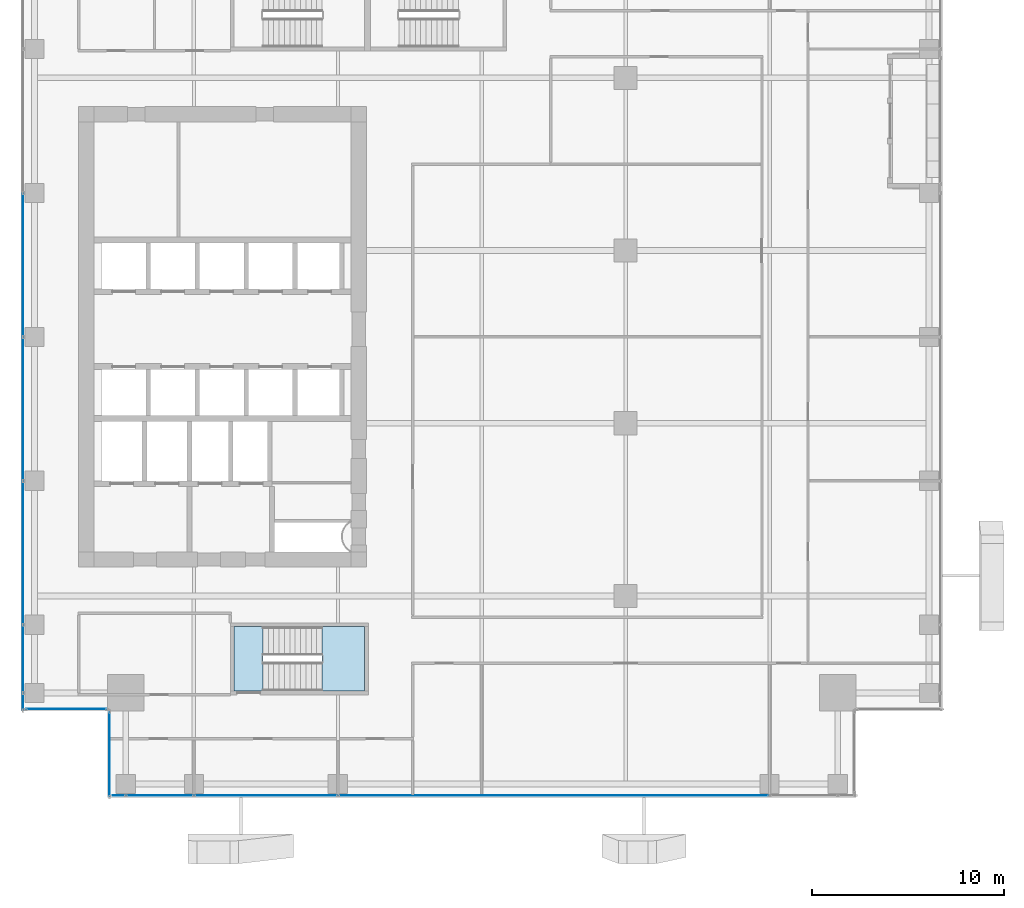
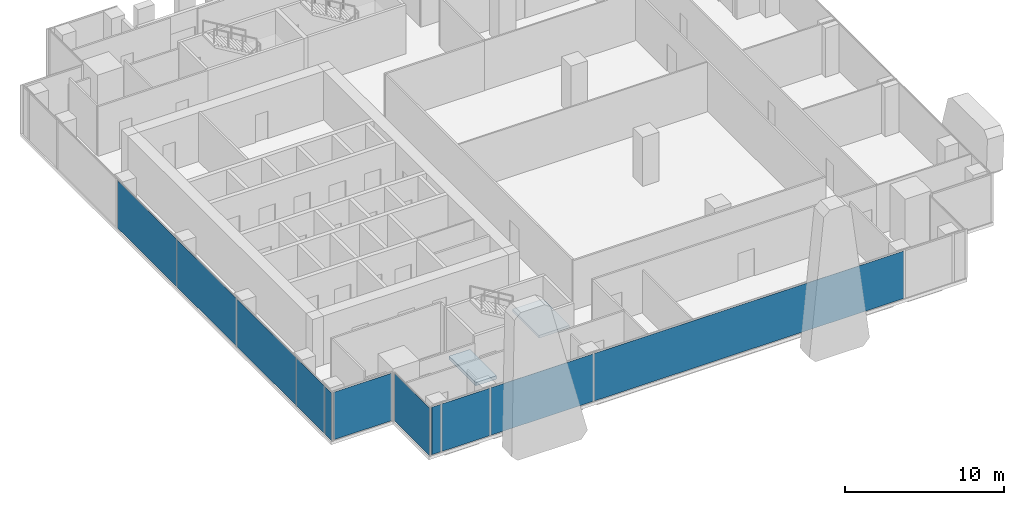
# One storey, part 27 of 38: 11 plates, 2 slabs, 5 elements without a shape of their own.
"""IFC4 building model written with IfcOpenShell, lengths in metres."""

from ifc_helpers import new_model, si_unit, direction, frame, origin, origin_2d, place, context, subcontext, project, spatial, polyline, rectangle, outline, extrude, source, transform, mapped, material, layer, layer_set, type_object, element, aggregate, save


model = new_model("IFC4")

# Units and contexts
model_context = context("Model", 3, precision=1e-05, world=origin(), true_north=direction((0.0, 1.0)))
body_context = subcontext(model_context, "Body", "Model", "MODEL_VIEW")
ifc_project = project(units=[si_unit("LENGTHUNIT", "METRE"), si_unit("AREAUNIT", "SQUARE_METRE"), si_unit("VOLUMEUNIT", "CUBIC_METRE"), si_unit("PLANEANGLEUNIT", "RADIAN"), si_unit("MASSUNIT", "GRAM", prefix="KILO")], contexts=[model_context])

# Site, building, storey
site_placement = place(None, origin())
site = spatial("IfcSite", under=ifc_project, at=site_placement, CompositionType="ELEMENT")
building_placement = place(site_placement, origin())
building = spatial("IfcBuilding", under=site, at=building_placement, Name="Khomas Fold Tower", CompositionType="ELEMENT")
storey_placement = place(building_placement, frame((0.0, 0.0, 196.699951171875)))
storey = spatial("IfcBuildingStorey", under=building, at=storey_placement, Name="L43", CompositionType="ELEMENT", Elevation=196.699951171875)

# Curtain wall, plate
ifc_material_1 = material(Name="Aluminium framed double glazing", Category="aluminium")
curtain_wall_type = type_object("IfcCurtainWallType", Name="SK-Unitised clear-glass wall, office floors CW2", PredefinedType="NOTDEFINED", material=ifc_material_1)
curtain_wall_1_placement = place(storey_placement, origin())
curtain_wall_1 = element("IfcCurtainWall", 1, at=curtain_wall_1_placement, inside=storey, type_object=curtain_wall_type, Name="CW2 corner return L43 11", PredefinedType="NOTDEFINED")
ifc_material_2 = material(Name="Clear double glazed unit")
ifc_layer_1 = layer(ifc_material_2, 0.030029296875)
ifc_layer_set_1 = layer_set([ifc_layer_1], Name="Clear double glazed unit")
plate_type = type_object("IfcPlateType", Name="SK-Unitised clear-glass wall, office floors glass panel CW2-P", PredefinedType="CURTAIN_PANEL", material=ifc_layer_set_1)
shared_shape_1 = source(origin(), body_context, "Body", "SweptSolid", [
    extrude(rectangle(XDim=4.3798828125, YDim=0.030029296875, at=origin_2d()), origin(), (0.0, 0.0, 1.0), 3.639892578125),
])
plate_1_placement = place(storey_placement, frame((7.60009765625, 5.25, 0.0), z_axis=(0.0, 0.0, 1.0), x_axis=(0.0, -1.0, 0.0)))
plate_1 = element("IfcPlate", 2, at=plate_1_placement, type_object=plate_type, Name="CW2 glass panel 1", PredefinedType="CURTAIN_PANEL", context=body_context, shape_type="MappedRepresentation", body=[
    mapped(shared_shape_1, transform((0.0, 0.0, 0.0))),
])
aggregate(curtain_wall_1, [plate_1])

# Curtain wall, plates
curtain_wall_2_placement = place(storey_placement, origin())
curtain_wall_2 = element("IfcCurtainWall", 3, at=curtain_wall_2_placement, inside=storey, type_object=curtain_wall_type, Name="CW2 run L43 00-0", PredefinedType="NOTDEFINED")
shared_shape_2 = source(origin(), body_context, "Body", "SweptSolid", [
    extrude(rectangle(XDim=0.659912109375, YDim=0.030029296875, at=origin_2d()), origin(), (0.0, 0.0, 1.0), 3.639892578125),
])
plate_2_placement = place(storey_placement, frame((8.090087890625, 3.10009765625, 0.0), z_axis=(0.0, 0.0, 1.0), x_axis=(1.0, 0.0, 0.0)))
plate_2 = element("IfcPlate", 4, at=plate_2_placement, type_object=plate_type, Name="CW2 glass panel 1", PredefinedType="CURTAIN_PANEL", context=body_context, shape_type="MappedRepresentation", body=[
    mapped(shared_shape_2, transform((0.0, 0.0, 0.0))),
])
shared_shape_3 = source(origin(), body_context, "Body", "SweptSolid", [
    extrude(rectangle(XDim=3.489990234375, YDim=0.030029296875, at=origin_2d()), origin(), (0.0, 0.0, 1.0), 3.639892578125),
])
plate_3_placement = place(storey_placement, frame((10.22509765625, 3.10009765625, 0.0), z_axis=(0.0, 0.0, 1.0), x_axis=(1.0, 0.0, 0.0)))
plate_3 = element("IfcPlate", 5, at=plate_3_placement, type_object=plate_type, Name="CW2 glass panel 2", PredefinedType="CURTAIN_PANEL", context=body_context, shape_type="MappedRepresentation", body=[
    mapped(shared_shape_3, transform((0.0, 0.0, 0.0))),
])

# Curtain wall, plate
curtain_wall_3_placement = place(storey_placement, origin())
curtain_wall_3 = element("IfcCurtainWall", 6, at=curtain_wall_3_placement, inside=storey, type_object=curtain_wall_type, Name="CW2 run L43 09-0", PredefinedType="NOTDEFINED")
plate_4_placement = place(storey_placement, frame((3.10009765625, 10.22509765625, 0.0), z_axis=(0.0, 0.0, 1.0), x_axis=(0.0, -1.0, 0.0)))
plate_4 = element("IfcPlate", 7, at=plate_4_placement, type_object=plate_type, Name="CW2 glass panel 7", PredefinedType="CURTAIN_PANEL", context=body_context, shape_type="MappedRepresentation", body=[
    mapped(shared_shape_3, transform((0.0, 0.0, 0.0))),
])

# Plate
shared_shape_4 = source(origin(), body_context, "Body", "SweptSolid", [
    extrude(rectangle(XDim=7.43994140625, YDim=0.030029296875, at=origin_2d()), origin(), (0.0, 0.0, 1.0), 3.639892578125),
])
plate_5_placement = place(storey_placement, frame((15.75, 3.10009765625, 0.0), z_axis=(0.0, 0.0, 1.0), x_axis=(1.0, 0.0, 0.0)))
plate_5 = element("IfcPlate", 8, at=plate_5_placement, type_object=plate_type, Name="CW2 glass panel 3", PredefinedType="CURTAIN_PANEL", context=body_context, shape_type="MappedRepresentation", body=[
    mapped(shared_shape_4, transform((0.0, 0.0, 0.0))),
])

plate_6_placement = place(storey_placement, frame((3.10009765625, 30.75, 0.0), z_axis=(0.0, 0.0, 1.0), x_axis=(0.0, -1.0, 0.0)))
plate_6 = element("IfcPlate", 9, at=plate_6_placement, type_object=plate_type, Name="CW2 glass panel 4", PredefinedType="CURTAIN_PANEL", context=body_context, shape_type="MappedRepresentation", body=[
    mapped(shared_shape_4, transform((0.0, 0.0, 0.0))),
])

plate_7_placement = place(storey_placement, frame((3.10009765625, 23.25, 0.0), z_axis=(0.0, 0.0, 1.0), x_axis=(0.0, -1.0, 0.0)))
plate_7 = element("IfcPlate", 10, at=plate_7_placement, type_object=plate_type, Name="CW2 glass panel 5", PredefinedType="CURTAIN_PANEL", context=body_context, shape_type="MappedRepresentation", body=[
    mapped(shared_shape_4, transform((0.0, 0.0, 0.0))),
])

plate_8_placement = place(storey_placement, frame((3.10009765625, 15.75, 0.0), z_axis=(0.0, 0.0, 1.0), x_axis=(0.0, -1.0, 0.0)))
plate_8 = element("IfcPlate", 11, at=plate_8_placement, type_object=plate_type, Name="CW2 glass panel 6", PredefinedType="CURTAIN_PANEL", context=body_context, shape_type="MappedRepresentation", body=[
    mapped(shared_shape_4, transform((0.0, 0.0, 0.0))),
])

# Curtain wall, plate
curtain_wall_4_placement = place(storey_placement, origin())
curtain_wall_4 = element("IfcCurtainWall", 12, at=curtain_wall_4_placement, inside=storey, type_object=curtain_wall_type, Name="CW2 corner return L43 10", PredefinedType="NOTDEFINED")
shared_shape_5 = source(origin(), body_context, "Body", "SweptSolid", [
    extrude(rectangle(XDim=4.179931640625, YDim=0.030029296875, at=origin_2d()), origin(), (0.0, 0.0, 1.0), 3.639892578125),
])
plate_9_placement = place(storey_placement, frame((5.35009765625, 7.60009765625, 0.0), z_axis=(0.0, 0.0, 1.0), x_axis=(1.0, 0.0, 0.0)))
plate_9 = element("IfcPlate", 13, at=plate_9_placement, type_object=plate_type, Name="CW2 glass panel 1", PredefinedType="CURTAIN_PANEL", context=body_context, shape_type="MappedRepresentation", body=[
    mapped(shared_shape_5, transform((0.0, 0.0, 0.0))),
])
aggregate(curtain_wall_4, [plate_9])

# Plate
shared_shape_6 = source(origin(), body_context, "Body", "SweptSolid", [
    extrude(rectangle(XDim=0.860107421875, YDim=0.030029296875, at=origin_2d()), origin(), (0.0, 0.0, 1.0), 3.639892578125),
])
plate_10_placement = place(storey_placement, frame((3.10009765625, 7.989990234375, 0.0), z_axis=(0.0, 0.0, 1.0), x_axis=(0.0, -1.0, 0.0)))
plate_10 = element("IfcPlate", 14, at=plate_10_placement, type_object=plate_type, Name="CW2 glass panel 8", PredefinedType="CURTAIN_PANEL", context=body_context, shape_type="MappedRepresentation", body=[
    mapped(shared_shape_6, transform((0.0, 0.0, 0.0))),
])

aggregate(curtain_wall_3, [plate_6, plate_7, plate_8, plate_4, plate_10])

shared_shape_7 = source(origin(), body_context, "Body", "SweptSolid", [
    extrude(rectangle(XDim=22.43994140625, YDim=0.030029296875, at=origin_2d()), origin(), (0.0, 0.0, 1.0), 3.639892578125),
])
plate_11_placement = place(storey_placement, frame((30.75, 3.10009765625, 0.0), z_axis=(0.0, 0.0, 1.0), x_axis=(1.0, 0.0, 0.0)))
plate_11 = element("IfcPlate", 15, at=plate_11_placement, type_object=plate_type, Name="CW2 glass panel 4", PredefinedType="CURTAIN_PANEL", context=body_context, shape_type="MappedRepresentation", body=[
    mapped(shared_shape_7, transform((0.0, 0.0, 0.0))),
])

aggregate(curtain_wall_2, [plate_2, plate_3, plate_5, plate_11])

# Stair, slab
ifc_material_3 = material(Name="Concrete C40/50", Category="concrete")
stair_type = type_object("IfcStairType", Name="Stair ST2", PredefinedType="HALF_TURN_STAIR", material=ifc_material_3)
stair_placement = place(storey_placement, origin())
stair = element("IfcStair", 16, at=stair_placement, inside=storey, type_object=stair_type, Name="L43 ST2", PredefinedType="HALF_TURN_STAIR")
ifc_material_4 = material(Name="Concrete C40/50", Category="concrete")
ifc_layer_2 = layer(ifc_material_4, 0.199951171875)
ifc_layer_set_2 = layer_set([ifc_layer_2], Name="Concrete C40/50")
slab_type_1 = type_object("IfcSlabType", Name="Stair landing 200", PredefinedType="LANDING", material=ifc_layer_set_2)
shared_shape_8 = source(origin(), body_context, "Body", "SweptSolid", [
    extrude(outline(polyline([(18.679931640625, 8.550048828125), (20.89990234375, 8.550048828125), (20.89990234375, 11.89990234375), (18.679931640625, 11.89990234375), (18.679931640625, 8.550048828125)])), origin(), (0.0, 0.0, 1.0), 0.199951171875),
])
slab_1_placement = place(storey_placement, frame((0.0, 0.0, 1.800048828125)))
slab_1 = element("IfcSlab", 17, at=slab_1_placement, type_object=slab_type_1, Name="ST2 landing 1", PredefinedType="LANDING", context=body_context, shape_type="MappedRepresentation", body=[
    mapped(shared_shape_8, transform((0.0, 0.0, 0.0))),
])
aggregate(stair, [slab_1])

# Slab
ifc_material_5 = material(Name="Concrete C40/50", Category="concrete")
ifc_layer_3 = layer(ifc_material_5, 0.25)
ifc_layer_set_3 = layer_set([ifc_layer_3], Name="Concrete C40/50")
slab_type_2 = type_object("IfcSlabType", Name="Stair floor landing 250", PredefinedType="LANDING", material=ifc_layer_set_3)
shared_shape_9 = source(origin(), body_context, "Body", "SweptSolid", [
    extrude(outline(polyline([(15.60009765625, 8.550048828125), (14.10009765625, 8.550048828125), (14.10009765625, 11.89990234375), (15.60009765625, 11.89990234375), (15.60009765625, 8.550048828125)])), origin(), (0.0, 0.0, 1.0), 0.25),
])
slab_2_placement = place(storey_placement, frame((0.0, 0.0, -0.25)))
element("IfcSlab", 18, at=slab_2_placement, inside=storey, type_object=slab_type_2, Name="ST2 floor landing", PredefinedType="LANDING", context=body_context, shape_type="MappedRepresentation", body=[
    mapped(shared_shape_9, transform((0.0, 0.0, 0.0))),
])

save(model, "model.ifc")
